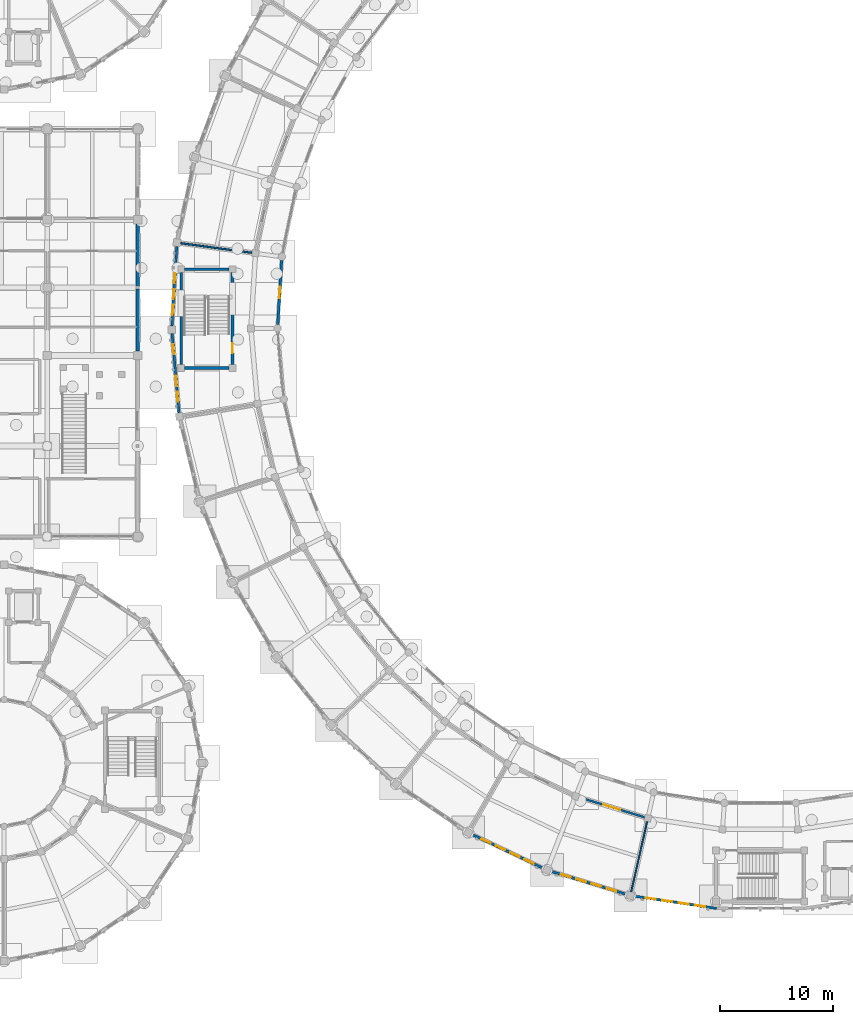
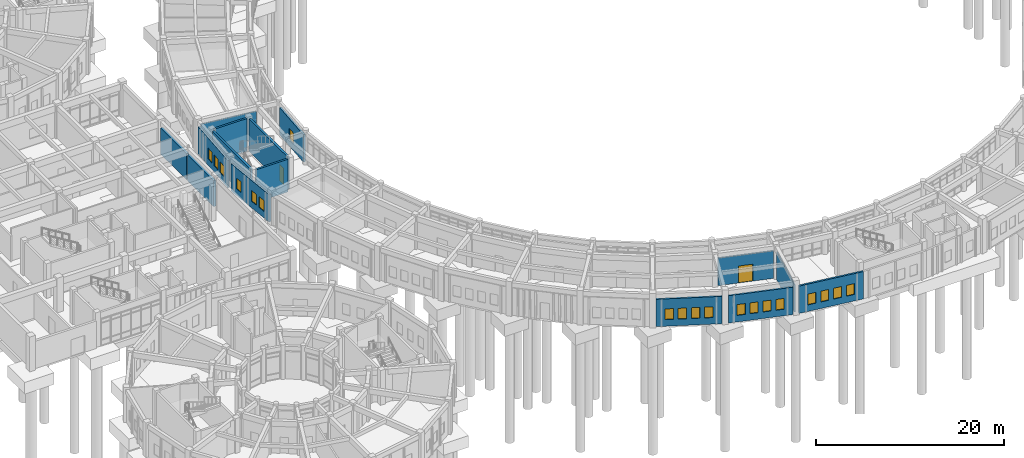
# One storey, part 121 of 153: 19 windows, 15 walls, 2 doors, 21 openings.
"""IFC4 building model written with IfcOpenShell, lengths in metres."""

from ifc_helpers import new_model, si_unit, direction, frame, frame_2d, origin, place, context, subcontext, project, spatial, rectangle, extrude, material, layer, layer_set, type_object, element, fill, save


model = new_model("IFC4")

# Units and contexts
model_context = context("Model", 3, precision=1e-05, world=origin(), true_north=direction((0.0, 1.0)))
body_context = subcontext(model_context, "Body", "Model", "MODEL_VIEW")
ifc_project = project(units=[si_unit("LENGTHUNIT", "METRE"), si_unit("AREAUNIT", "SQUARE_METRE"), si_unit("VOLUMEUNIT", "CUBIC_METRE"), si_unit("PLANEANGLEUNIT", "RADIAN"), si_unit("MASSUNIT", "GRAM", prefix="KILO")], contexts=[model_context])

# Site, building, storey
site_placement = place(None, origin())
site = spatial("IfcSite", under=ifc_project, at=site_placement, CompositionType="ELEMENT")
building_placement = place(site_placement, origin())
building = spatial("IfcBuilding", under=site, at=building_placement, Name="Celadon Cloister-Ring School", CompositionType="ELEMENT")
storey_placement = place(building_placement, origin())
storey = spatial("IfcBuildingStorey", under=building, at=storey_placement, Name="L00", CompositionType="ELEMENT", Elevation=0.0)

# Walls
ifc_material_1 = material(Name="Rendered concrete blockwork", Category="masonry")
ifc_layer_1 = layer(ifc_material_1, 0.280029296875)
ifc_layer_set_1 = layer_set([ifc_layer_1], Name="Rendered concrete blockwork")
wall_type_1 = type_object("IfcWallType", Name="WT-EX1", PredefinedType="SOLIDWALL", material=ifc_layer_set_1)
for number, where, z_axis, x_axis, name in (
    (1, (32.0, 67.623046875, 0.0), (0.0, 0.0, 1.0), (0.0, -1.0, 0.0), "Exterior Wall 0490"),
    (2, (32.0, 61.887939453125, 0.0), (0.0, 0.0, 1.0), (0.0, -1.0, 0.0), "Exterior Wall 0491"),
):
    element("IfcWall", number, at=place(storey_placement, frame(where, z_axis=z_axis, x_axis=x_axis)), inside=storey, type_object=wall_type_1, Name=name, PredefinedType="SOLIDWALL", context=body_context, shape_type="SweptSolid", body=[
        extrude(rectangle(XDim=5.510986328125, YDim=0.280029296875, at=frame_2d((2.75537109375, 0.0))), origin(), (0.0, 0.0, 1.0), 3.382080078125),
    ])

# Wall, opening, window
ifc_material_2 = material(Name="Rendered concrete blockwork", Category="masonry")
ifc_layer_2 = layer(ifc_material_2, 0.239990234375)
ifc_layer_set_2 = layer_set([ifc_layer_2], Name="Rendered concrete blockwork")
wall_type_2 = type_object("IfcWallType", Name="WT-EX3", PredefinedType="SOLIDWALL", material=ifc_layer_set_2)
wall_1_placement = place(storey_placement, frame((44.715087890625, 64.39111328125, 0.0), z_axis=(0.0, 0.0, 1.0), x_axis=(-0.060202310399, -0.998186195969, 0.0)))
wall_1 = element("IfcWall", 3, at=wall_1_placement, inside=storey, type_object=wall_type_2, Name="Exterior Wall 0011", PredefinedType="SOLIDWALL", context=body_context, shape_type="SweptSolid", body=[
    extrude(rectangle(XDim=5.665283203125, YDim=0.239990234375, at=frame_2d((2.83251953125, 0.0))), origin(), (0.0, 0.0, 1.0), 3.550048828125),
])
opening_1_placement = place(wall_1_placement, frame((2.30810546875, 0.0, 0.89990234375)))
opening_1 = element("IfcOpeningElement", 4, at=opening_1_placement, cuts=wall_1, Name="Opening WN-22", PredefinedType="OPENING", context=body_context, shape_type="SweptSolid", body=[
    extrude(rectangle(XDim=1.050048828125, YDim=1.39990234375, at=frame_2d((0.52490234375, 0.699951171875))), frame((0.0, 0.1298828125, 0.0), z_axis=(0.0, -1.0, 0.0), x_axis=(1.0, 0.0, 0.0)), (0.0, 0.0, 1.0), 0.260009765625),
])
ifc_material_3 = material(Name="Tempered laminated insulating glass", Category="glass")
window_type_1 = type_object("IfcWindowType", Name="WN-22", PartitioningType="SINGLE_PANEL", PredefinedType="WINDOW", material=ifc_material_3)
window_1_placement = place(opening_1_placement, origin())
window_1 = element("IfcWindow", 5, at=window_1_placement, inside=storey, type_object=window_type_1, Name="Window 0025", OverallHeight=1.39990234375, OverallWidth=1.050048828125, PartitioningType="SINGLE_PANEL", PredefinedType="WINDOW", context=body_context, shape_type="SweptSolid", body=[
    extrude(rectangle(XDim=1.050048828125, YDim=1.39990234375, at=frame_2d((0.52490234375, 0.699951171875))), frame((0.0, 0.030029296875, 0.0), z_axis=(0.0, -1.0, 0.0), x_axis=(1.0, 0.0, 0.0)), (0.0, 0.0, 1.0), 0.06005859375),
])
fill(opening_1, window_1)

# Wall, openings, windows
ifc_material_4 = material(Name="Perforated terracotta clay brick masonry", Category="masonry")
ifc_layer_3 = layer(ifc_material_4, 0.219970703125)
ifc_layer_set_3 = layer_set([ifc_layer_3], Name="Perforated terracotta clay brick masonry")
wall_type_3 = type_object("IfcWallType", Name="WT-EX4", PredefinedType="SOLIDWALL", material=ifc_layer_set_3)
wall_2_placement = place(storey_placement, frame((35.02490234375, 58.615966796875, 0.0), z_axis=(0.0, 0.0, 1.0), x_axis=(0.06029906372, 0.998180355905, 0.0)))
wall_2 = element("IfcWall", 6, at=wall_2_placement, inside=storey, type_object=wall_type_3, Name="Exterior Wall 0010", PredefinedType="SOLIDWALL", context=body_context, shape_type="SweptSolid", body=[
    extrude(rectangle(XDim=7.03271484375, YDim=0.219970703125, at=frame_2d((3.516357421875, 0.0))), origin(), (0.0, 0.0, 1.0), 3.550048828125),
])
opening_2_placement = place(wall_2_placement, frame((0.95703125, 0.0, 0.85009765625)))
opening_2 = element("IfcOpeningElement", 7, at=opening_2_placement, cuts=wall_2, Name="Opening WN-21", PredefinedType="OPENING", context=body_context, shape_type="SweptSolid", body=[
    extrude(rectangle(XDim=0.89990234375, YDim=1.39990234375, at=frame_2d((0.449951171875, 0.699951171875))), frame((0.0, 0.1201171875, 0.0), z_axis=(0.0, -1.0, 0.0), x_axis=(1.0, 0.0, 0.0)), (0.0, 0.0, 1.0), 0.239990234375),
])
opening_3_placement = place(wall_2_placement, frame((2.363037109375, 0.0, 0.85009765625)))
opening_3 = element("IfcOpeningElement", 8, at=opening_3_placement, cuts=wall_2, Name="Opening WN-21", PredefinedType="OPENING", context=body_context, shape_type="SweptSolid", body=[
    extrude(rectangle(XDim=0.89990234375, YDim=1.39990234375, at=frame_2d((0.449951171875, 0.699951171875))), frame((0.0, 0.1201171875, 0.0), z_axis=(0.0, -1.0, 0.0), x_axis=(1.0, 0.0, 0.0)), (0.0, 0.0, 1.0), 0.239990234375),
])
opening_4_placement = place(wall_2_placement, frame((3.77001953125, 0.0, 0.85009765625)))
opening_4 = element("IfcOpeningElement", 9, at=opening_4_placement, cuts=wall_2, Name="Opening WN-21", PredefinedType="OPENING", context=body_context, shape_type="SweptSolid", body=[
    extrude(rectangle(XDim=0.89990234375, YDim=1.39990234375, at=frame_2d((0.449951171875, 0.699951171875))), frame((0.0, 0.1201171875, 0.0), z_axis=(0.0, -1.0, 0.0), x_axis=(1.0, 0.0, 0.0)), (0.0, 0.0, 1.0), 0.239990234375),
])
ifc_material_5 = material(Name="Tempered laminated insulating glass", Category="glass")
window_type_2 = type_object("IfcWindowType", Name="WN-21", PartitioningType="SINGLE_PANEL", PredefinedType="WINDOW", material=ifc_material_5)
window_2_placement = place(opening_2_placement, origin())
window_2 = element("IfcWindow", 10, at=window_2_placement, inside=storey, type_object=window_type_2, Name="Window 0022", OverallHeight=1.39990234375, OverallWidth=0.89990234375, PartitioningType="SINGLE_PANEL", PredefinedType="WINDOW", context=body_context, shape_type="SweptSolid", body=[
    extrude(rectangle(XDim=0.89990234375, YDim=1.39990234375, at=frame_2d((0.449951171875, 0.699951171875))), frame((0.0, 0.030029296875, 0.0), z_axis=(0.0, -1.0, 0.0), x_axis=(1.0, 0.0, 0.0)), (0.0, 0.0, 1.0), 0.06005859375),
])
fill(opening_2, window_2)
window_3_placement = place(opening_3_placement, origin())
window_3 = element("IfcWindow", 11, at=window_3_placement, inside=storey, type_object=window_type_2, Name="Window 0023", OverallHeight=1.39990234375, OverallWidth=0.89990234375, PartitioningType="SINGLE_PANEL", PredefinedType="WINDOW", context=body_context, shape_type="SweptSolid", body=[
    extrude(rectangle(XDim=0.89990234375, YDim=1.39990234375, at=frame_2d((0.449951171875, 0.699951171875))), frame((0.0, 0.030029296875, 0.0), z_axis=(0.0, -1.0, 0.0), x_axis=(1.0, 0.0, 0.0)), (0.0, 0.0, 1.0), 0.06005859375),
])
fill(opening_3, window_3)
window_4_placement = place(opening_4_placement, origin())
window_4 = element("IfcWindow", 12, at=window_4_placement, inside=storey, type_object=window_type_2, Name="Window 0024", OverallHeight=1.39990234375, OverallWidth=0.89990234375, PartitioningType="SINGLE_PANEL", PredefinedType="WINDOW", context=body_context, shape_type="SweptSolid", body=[
    extrude(rectangle(XDim=0.89990234375, YDim=1.39990234375, at=frame_2d((0.449951171875, 0.699951171875))), frame((0.0, 0.030029296875, 0.0), z_axis=(0.0, -1.0, 0.0), x_axis=(1.0, 0.0, 0.0)), (0.0, 0.0, 1.0), 0.06005859375),
])
fill(opening_4, window_4)

wall_3_placement = place(storey_placement, frame((35.652099609375, 50.94189453125, 0.0), z_axis=(0.0, 0.0, 1.0), x_axis=(-0.087777274836, 0.996140125696, 0.0)))
wall_3 = element("IfcWall", 13, at=wall_3_placement, inside=storey, type_object=wall_type_3, Name="Exterior Wall 0012", PredefinedType="SOLIDWALL", context=body_context, shape_type="SweptSolid", body=[
    extrude(rectangle(XDim=7.03125, YDim=0.219970703125, at=frame_2d((3.515625, 0.0))), origin(), (0.0, 0.0, 1.0), 3.550048828125),
])
opening_5_placement = place(wall_3_placement, frame((0.9560546875, 0.0, 0.85009765625)))
opening_5 = element("IfcOpeningElement", 14, at=opening_5_placement, cuts=wall_3, Name="Opening WN-21", PredefinedType="OPENING", context=body_context, shape_type="SweptSolid", body=[
    extrude(rectangle(XDim=0.89990234375, YDim=1.39990234375, at=frame_2d((0.449951171875, 0.699951171875))), frame((0.0, 0.1201171875, 0.0), z_axis=(0.0, -1.0, 0.0), x_axis=(1.0, 0.0, 0.0)), (0.0, 0.0, 1.0), 0.239990234375),
])
opening_6_placement = place(wall_3_placement, frame((2.362060546875, 0.0, 0.85009765625)))
opening_6 = element("IfcOpeningElement", 15, at=opening_6_placement, cuts=wall_3, Name="Opening WN-21", PredefinedType="OPENING", context=body_context, shape_type="SweptSolid", body=[
    extrude(rectangle(XDim=0.89990234375, YDim=1.39990234375, at=frame_2d((0.449951171875, 0.699951171875))), frame((0.0, 0.1201171875, 0.0), z_axis=(0.0, -1.0, 0.0), x_axis=(1.0, 0.0, 0.0)), (0.0, 0.0, 1.0), 0.239990234375),
])
opening_7_placement = place(wall_3_placement, frame((5.175048828125, 0.0, 0.85009765625)))
opening_7 = element("IfcOpeningElement", 16, at=opening_7_placement, cuts=wall_3, Name="Opening WN-21", PredefinedType="OPENING", context=body_context, shape_type="SweptSolid", body=[
    extrude(rectangle(XDim=0.89990234375, YDim=1.39990234375, at=frame_2d((0.449951171875, 0.699951171875))), frame((0.0, 0.1201171875, 0.0), z_axis=(0.0, -1.0, 0.0), x_axis=(1.0, 0.0, 0.0)), (0.0, 0.0, 1.0), 0.239990234375),
])
window_5_placement = place(opening_5_placement, origin())
window_5 = element("IfcWindow", 17, at=window_5_placement, inside=storey, type_object=window_type_2, Name="Window 0026", OverallHeight=1.39990234375, OverallWidth=0.89990234375, PartitioningType="SINGLE_PANEL", PredefinedType="WINDOW", context=body_context, shape_type="SweptSolid", body=[
    extrude(rectangle(XDim=0.89990234375, YDim=1.39990234375, at=frame_2d((0.449951171875, 0.699951171875))), frame((0.0, 0.030029296875, 0.0), z_axis=(0.0, -1.0, 0.0), x_axis=(1.0, 0.0, 0.0)), (0.0, 0.0, 1.0), 0.06005859375),
])
fill(opening_5, window_5)
window_6_placement = place(opening_6_placement, origin())
window_6 = element("IfcWindow", 18, at=window_6_placement, inside=storey, type_object=window_type_2, Name="Window 0027", OverallHeight=1.39990234375, OverallWidth=0.89990234375, PartitioningType="SINGLE_PANEL", PredefinedType="WINDOW", context=body_context, shape_type="SweptSolid", body=[
    extrude(rectangle(XDim=0.89990234375, YDim=1.39990234375, at=frame_2d((0.449951171875, 0.699951171875))), frame((0.0, 0.030029296875, 0.0), z_axis=(0.0, -1.0, 0.0), x_axis=(1.0, 0.0, 0.0)), (0.0, 0.0, 1.0), 0.06005859375),
])
fill(opening_6, window_6)
window_7_placement = place(opening_7_placement, origin())
window_7 = element("IfcWindow", 19, at=window_7_placement, inside=storey, type_object=window_type_2, Name="Window 0028", OverallHeight=1.39990234375, OverallWidth=0.89990234375, PartitioningType="SINGLE_PANEL", PredefinedType="WINDOW", context=body_context, shape_type="SweptSolid", body=[
    extrude(rectangle(XDim=0.89990234375, YDim=1.39990234375, at=frame_2d((0.449951171875, 0.699951171875))), frame((0.0, 0.030029296875, 0.0), z_axis=(0.0, -1.0, 0.0), x_axis=(1.0, 0.0, 0.0)), (0.0, 0.0, 1.0), 0.06005859375),
])
fill(opening_7, window_7)

wall_4_placement = place(storey_placement, frame((67.85888671875, 10.677001953125, 0.0), z_axis=(0.0, 0.0, 1.0), x_axis=(-0.902744968073, 0.43017615301, 0.0)))
wall_4 = element("IfcWall", 20, at=wall_4_placement, inside=storey, type_object=wall_type_3, Name="Exterior Wall 0021", PredefinedType="SOLIDWALL", context=body_context, shape_type="SweptSolid", body=[
    extrude(rectangle(XDim=7.03173828125, YDim=0.219970703125, at=frame_2d((3.515869140625, 0.0))), origin(), (0.0, 0.0, 1.0), 3.550048828125),
])
opening_8_placement = place(wall_4_placement, frame((0.9560546875, 0.0, 0.85009765625)))
opening_8 = element("IfcOpeningElement", 21, at=opening_8_placement, cuts=wall_4, Name="Opening WN-21", PredefinedType="OPENING", context=body_context, shape_type="SweptSolid", body=[
    extrude(rectangle(XDim=0.89990234375, YDim=1.39990234375, at=frame_2d((0.449951171875, 0.699951171875))), frame((0.0, 0.1201171875, 0.0), z_axis=(0.0, -1.0, 0.0), x_axis=(1.0, 0.0, 0.0)), (0.0, 0.0, 1.0), 0.239990234375),
])
opening_9_placement = place(wall_4_placement, frame((2.363037109375, 0.0, 0.85009765625)))
opening_9 = element("IfcOpeningElement", 22, at=opening_9_placement, cuts=wall_4, Name="Opening WN-21", PredefinedType="OPENING", context=body_context, shape_type="SweptSolid", body=[
    extrude(rectangle(XDim=0.89990234375, YDim=1.39990234375, at=frame_2d((0.449951171875, 0.699951171875))), frame((0.0, 0.1201171875, 0.0), z_axis=(0.0, -1.0, 0.0), x_axis=(1.0, 0.0, 0.0)), (0.0, 0.0, 1.0), 0.239990234375),
])
opening_10_placement = place(wall_4_placement, frame((3.76904296875, 0.0, 0.85009765625)))
opening_10 = element("IfcOpeningElement", 23, at=opening_10_placement, cuts=wall_4, Name="Opening WN-21", PredefinedType="OPENING", context=body_context, shape_type="SweptSolid", body=[
    extrude(rectangle(XDim=0.89990234375, YDim=1.39990234375, at=frame_2d((0.449951171875, 0.699951171875))), frame((0.0, 0.1201171875, 0.0), z_axis=(0.0, -1.0, 0.0), x_axis=(1.0, 0.0, 0.0)), (0.0, 0.0, 1.0), 0.239990234375),
])
opening_11_placement = place(wall_4_placement, frame((5.176025390625, 0.0, 0.85009765625)))
opening_11 = element("IfcOpeningElement", 24, at=opening_11_placement, cuts=wall_4, Name="Opening WN-21", PredefinedType="OPENING", context=body_context, shape_type="SweptSolid", body=[
    extrude(rectangle(XDim=0.89990234375, YDim=1.39990234375, at=frame_2d((0.449951171875, 0.699951171875))), frame((0.0, 0.1201171875, 0.0), z_axis=(0.0, -1.0, 0.0), x_axis=(1.0, 0.0, 0.0)), (0.0, 0.0, 1.0), 0.239990234375),
])
window_8_placement = place(opening_8_placement, origin())
window_8 = element("IfcWindow", 25, at=window_8_placement, inside=storey, type_object=window_type_2, Name="Window 0051", OverallHeight=1.39990234375, OverallWidth=0.89990234375, PartitioningType="SINGLE_PANEL", PredefinedType="WINDOW", context=body_context, shape_type="SweptSolid", body=[
    extrude(rectangle(XDim=0.89990234375, YDim=1.39990234375, at=frame_2d((0.449951171875, 0.699951171875))), frame((0.0, 0.030029296875, 0.0), z_axis=(0.0, -1.0, 0.0), x_axis=(1.0, 0.0, 0.0)), (0.0, 0.0, 1.0), 0.06005859375),
])
fill(opening_8, window_8)
window_9_placement = place(opening_9_placement, origin())
window_9 = element("IfcWindow", 26, at=window_9_placement, inside=storey, type_object=window_type_2, Name="Window 0052", OverallHeight=1.39990234375, OverallWidth=0.89990234375, PartitioningType="SINGLE_PANEL", PredefinedType="WINDOW", context=body_context, shape_type="SweptSolid", body=[
    extrude(rectangle(XDim=0.89990234375, YDim=1.39990234375, at=frame_2d((0.449951171875, 0.699951171875))), frame((0.0, 0.030029296875, 0.0), z_axis=(0.0, -1.0, 0.0), x_axis=(1.0, 0.0, 0.0)), (0.0, 0.0, 1.0), 0.06005859375),
])
fill(opening_9, window_9)
window_10_placement = place(opening_10_placement, origin())
window_10 = element("IfcWindow", 27, at=window_10_placement, inside=storey, type_object=window_type_2, Name="Window 0053", OverallHeight=1.39990234375, OverallWidth=0.89990234375, PartitioningType="SINGLE_PANEL", PredefinedType="WINDOW", context=body_context, shape_type="SweptSolid", body=[
    extrude(rectangle(XDim=0.89990234375, YDim=1.39990234375, at=frame_2d((0.449951171875, 0.699951171875))), frame((0.0, 0.030029296875, 0.0), z_axis=(0.0, -1.0, 0.0), x_axis=(1.0, 0.0, 0.0)), (0.0, 0.0, 1.0), 0.06005859375),
])
fill(opening_10, window_10)
window_11_placement = place(opening_11_placement, origin())
window_11 = element("IfcWindow", 28, at=window_11_placement, inside=storey, type_object=window_type_2, Name="Window 0054", OverallHeight=1.39990234375, OverallWidth=0.89990234375, PartitioningType="SINGLE_PANEL", PredefinedType="WINDOW", context=body_context, shape_type="SweptSolid", body=[
    extrude(rectangle(XDim=0.89990234375, YDim=1.39990234375, at=frame_2d((0.449951171875, 0.699951171875))), frame((0.0, 0.030029296875, 0.0), z_axis=(0.0, -1.0, 0.0), x_axis=(1.0, 0.0, 0.0)), (0.0, 0.0, 1.0), 0.06005859375),
])
fill(opening_11, window_11)

wall_5_placement = place(storey_placement, frame((75.2080078125, 8.37890625, 0.0), z_axis=(0.0, 0.0, 1.0), x_axis=(-0.956340250866, 0.292255580912, 0.0)))
wall_5 = element("IfcWall", 29, at=wall_5_placement, inside=storey, type_object=wall_type_3, Name="Exterior Wall 0023", PredefinedType="SOLIDWALL", context=body_context, shape_type="SweptSolid", body=[
    extrude(rectangle(XDim=7.0322265625, YDim=0.219970703125, at=frame_2d((3.51611328125, 0.0))), origin(), (0.0, 0.0, 1.0), 3.550048828125),
])
opening_12_placement = place(wall_5_placement, frame((0.9560546875, 0.0, 0.85009765625)))
opening_12 = element("IfcOpeningElement", 30, at=opening_12_placement, cuts=wall_5, Name="Opening WN-21", PredefinedType="OPENING", context=body_context, shape_type="SweptSolid", body=[
    extrude(rectangle(XDim=0.89990234375, YDim=1.39990234375, at=frame_2d((0.449951171875, 0.699951171875))), frame((0.0, 0.1201171875, 0.0), z_axis=(0.0, -1.0, 0.0), x_axis=(1.0, 0.0, 0.0)), (0.0, 0.0, 1.0), 0.239990234375),
])
opening_13_placement = place(wall_5_placement, frame((2.363037109375, 0.0, 0.85009765625)))
opening_13 = element("IfcOpeningElement", 31, at=opening_13_placement, cuts=wall_5, Name="Opening WN-21", PredefinedType="OPENING", context=body_context, shape_type="SweptSolid", body=[
    extrude(rectangle(XDim=0.89990234375, YDim=1.39990234375, at=frame_2d((0.449951171875, 0.699951171875))), frame((0.0, 0.1201171875, 0.0), z_axis=(0.0, -1.0, 0.0), x_axis=(1.0, 0.0, 0.0)), (0.0, 0.0, 1.0), 0.239990234375),
])
opening_14_placement = place(wall_5_placement, frame((3.76904296875, 0.0, 0.85009765625)))
opening_14 = element("IfcOpeningElement", 32, at=opening_14_placement, cuts=wall_5, Name="Opening WN-21", PredefinedType="OPENING", context=body_context, shape_type="SweptSolid", body=[
    extrude(rectangle(XDim=0.89990234375, YDim=1.39990234375, at=frame_2d((0.449951171875, 0.699951171875))), frame((0.0, 0.1201171875, 0.0), z_axis=(0.0, -1.0, 0.0), x_axis=(1.0, 0.0, 0.0)), (0.0, 0.0, 1.0), 0.239990234375),
])
opening_15_placement = place(wall_5_placement, frame((5.176025390625, 0.0, 0.85009765625)))
opening_15 = element("IfcOpeningElement", 33, at=opening_15_placement, cuts=wall_5, Name="Opening WN-21", PredefinedType="OPENING", context=body_context, shape_type="SweptSolid", body=[
    extrude(rectangle(XDim=0.89990234375, YDim=1.39990234375, at=frame_2d((0.449951171875, 0.699951171875))), frame((0.0, 0.1201171875, 0.0), z_axis=(0.0, -1.0, 0.0), x_axis=(1.0, 0.0, 0.0)), (0.0, 0.0, 1.0), 0.239990234375),
])
window_12_placement = place(opening_12_placement, origin())
window_12 = element("IfcWindow", 34, at=window_12_placement, inside=storey, type_object=window_type_2, Name="Window 0055", OverallHeight=1.39990234375, OverallWidth=0.89990234375, PartitioningType="SINGLE_PANEL", PredefinedType="WINDOW", context=body_context, shape_type="SweptSolid", body=[
    extrude(rectangle(XDim=0.89990234375, YDim=1.39990234375, at=frame_2d((0.449951171875, 0.699951171875))), frame((0.0, 0.030029296875, 0.0), z_axis=(0.0, -1.0, 0.0), x_axis=(1.0, 0.0, 0.0)), (0.0, 0.0, 1.0), 0.06005859375),
])
fill(opening_12, window_12)
window_13_placement = place(opening_13_placement, origin())
window_13 = element("IfcWindow", 35, at=window_13_placement, inside=storey, type_object=window_type_2, Name="Window 0056", OverallHeight=1.39990234375, OverallWidth=0.89990234375, PartitioningType="SINGLE_PANEL", PredefinedType="WINDOW", context=body_context, shape_type="SweptSolid", body=[
    extrude(rectangle(XDim=0.89990234375, YDim=1.39990234375, at=frame_2d((0.449951171875, 0.699951171875))), frame((0.0, 0.030029296875, 0.0), z_axis=(0.0, -1.0, 0.0), x_axis=(1.0, 0.0, 0.0)), (0.0, 0.0, 1.0), 0.06005859375),
])
fill(opening_13, window_13)
window_14_placement = place(opening_14_placement, origin())
window_14 = element("IfcWindow", 36, at=window_14_placement, inside=storey, type_object=window_type_2, Name="Window 0057", OverallHeight=1.39990234375, OverallWidth=0.89990234375, PartitioningType="SINGLE_PANEL", PredefinedType="WINDOW", context=body_context, shape_type="SweptSolid", body=[
    extrude(rectangle(XDim=0.89990234375, YDim=1.39990234375, at=frame_2d((0.449951171875, 0.699951171875))), frame((0.0, 0.030029296875, 0.0), z_axis=(0.0, -1.0, 0.0), x_axis=(1.0, 0.0, 0.0)), (0.0, 0.0, 1.0), 0.06005859375),
])
fill(opening_14, window_14)
window_15_placement = place(opening_15_placement, origin())
window_15 = element("IfcWindow", 37, at=window_15_placement, inside=storey, type_object=window_type_2, Name="Window 0058", OverallHeight=1.39990234375, OverallWidth=0.89990234375, PartitioningType="SINGLE_PANEL", PredefinedType="WINDOW", context=body_context, shape_type="SweptSolid", body=[
    extrude(rectangle(XDim=0.89990234375, YDim=1.39990234375, at=frame_2d((0.449951171875, 0.699951171875))), frame((0.0, 0.030029296875, 0.0), z_axis=(0.0, -1.0, 0.0), x_axis=(1.0, 0.0, 0.0)), (0.0, 0.0, 1.0), 0.06005859375),
])
fill(opening_15, window_15)

wall_6_placement = place(storey_placement, frame((83.14794921875, 7.14306640625, 0.0), z_axis=(0.0, 0.0, 1.0), x_axis=(-0.989038445117, 0.147658234042, 0.0)))
wall_6 = element("IfcWall", 38, at=wall_6_placement, inside=storey, type_object=wall_type_3, Name="Exterior Wall 0025", PredefinedType="SOLIDWALL", context=body_context, shape_type="SweptSolid", body=[
    extrude(rectangle(XDim=7.36767578125, YDim=0.219970703125, at=frame_2d((3.683837890625, 0.0))), origin(), (0.0, 0.0, 1.0), 3.550048828125),
])
opening_16_placement = place(wall_6_placement, frame((1.02392578125, 0.0, 0.85009765625)))
opening_16 = element("IfcOpeningElement", 39, at=opening_16_placement, cuts=wall_6, Name="Opening WN-21", PredefinedType="OPENING", context=body_context, shape_type="SweptSolid", body=[
    extrude(rectangle(XDim=0.89990234375, YDim=1.39990234375, at=frame_2d((0.449951171875, 0.699951171875))), frame((0.0, 0.1201171875, 0.0), z_axis=(0.0, -1.0, 0.0), x_axis=(1.0, 0.0, 0.0)), (0.0, 0.0, 1.0), 0.239990234375),
])
opening_17_placement = place(wall_6_placement, frame((2.4970703125, 0.0, 0.85009765625)))
opening_17 = element("IfcOpeningElement", 40, at=opening_17_placement, cuts=wall_6, Name="Opening WN-21", PredefinedType="OPENING", context=body_context, shape_type="SweptSolid", body=[
    extrude(rectangle(XDim=0.89990234375, YDim=1.39990234375, at=frame_2d((0.449951171875, 0.699951171875))), frame((0.0, 0.1201171875, 0.0), z_axis=(0.0, -1.0, 0.0), x_axis=(1.0, 0.0, 0.0)), (0.0, 0.0, 1.0), 0.239990234375),
])
opening_18_placement = place(wall_6_placement, frame((3.970947265625, 0.0, 0.85009765625)))
opening_18 = element("IfcOpeningElement", 41, at=opening_18_placement, cuts=wall_6, Name="Opening WN-21", PredefinedType="OPENING", context=body_context, shape_type="SweptSolid", body=[
    extrude(rectangle(XDim=0.89990234375, YDim=1.39990234375, at=frame_2d((0.449951171875, 0.699951171875))), frame((0.0, 0.1201171875, 0.0), z_axis=(0.0, -1.0, 0.0), x_axis=(1.0, 0.0, 0.0)), (0.0, 0.0, 1.0), 0.239990234375),
])
opening_19_placement = place(wall_6_placement, frame((5.444091796875, 0.0, 0.85009765625)))
opening_19 = element("IfcOpeningElement", 42, at=opening_19_placement, cuts=wall_6, Name="Opening WN-21", PredefinedType="OPENING", context=body_context, shape_type="SweptSolid", body=[
    extrude(rectangle(XDim=0.89990234375, YDim=1.39990234375, at=frame_2d((0.449951171875, 0.699951171875))), frame((0.0, 0.1201171875, 0.0), z_axis=(0.0, -1.0, 0.0), x_axis=(1.0, 0.0, 0.0)), (0.0, 0.0, 1.0), 0.239990234375),
])
window_16_placement = place(opening_16_placement, origin())
window_16 = element("IfcWindow", 43, at=window_16_placement, inside=storey, type_object=window_type_2, Name="Window 0060", OverallHeight=1.39990234375, OverallWidth=0.89990234375, PartitioningType="SINGLE_PANEL", PredefinedType="WINDOW", context=body_context, shape_type="SweptSolid", body=[
    extrude(rectangle(XDim=0.89990234375, YDim=1.39990234375, at=frame_2d((0.449951171875, 0.699951171875))), frame((0.0, 0.030029296875, 0.0), z_axis=(0.0, -1.0, 0.0), x_axis=(1.0, 0.0, 0.0)), (0.0, 0.0, 1.0), 0.06005859375),
])
fill(opening_16, window_16)
window_17_placement = place(opening_17_placement, origin())
window_17 = element("IfcWindow", 44, at=window_17_placement, inside=storey, type_object=window_type_2, Name="Window 0061", OverallHeight=1.39990234375, OverallWidth=0.89990234375, PartitioningType="SINGLE_PANEL", PredefinedType="WINDOW", context=body_context, shape_type="SweptSolid", body=[
    extrude(rectangle(XDim=0.89990234375, YDim=1.39990234375, at=frame_2d((0.449951171875, 0.699951171875))), frame((0.0, 0.030029296875, 0.0), z_axis=(0.0, -1.0, 0.0), x_axis=(1.0, 0.0, 0.0)), (0.0, 0.0, 1.0), 0.06005859375),
])
fill(opening_17, window_17)
window_18_placement = place(opening_18_placement, origin())
window_18 = element("IfcWindow", 45, at=window_18_placement, inside=storey, type_object=window_type_2, Name="Window 0062", OverallHeight=1.39990234375, OverallWidth=0.89990234375, PartitioningType="SINGLE_PANEL", PredefinedType="WINDOW", context=body_context, shape_type="SweptSolid", body=[
    extrude(rectangle(XDim=0.89990234375, YDim=1.39990234375, at=frame_2d((0.449951171875, 0.699951171875))), frame((0.0, 0.030029296875, 0.0), z_axis=(0.0, -1.0, 0.0), x_axis=(1.0, 0.0, 0.0)), (0.0, 0.0, 1.0), 0.06005859375),
])
fill(opening_18, window_18)
window_19_placement = place(opening_19_placement, origin())
window_19 = element("IfcWindow", 46, at=window_19_placement, inside=storey, type_object=window_type_2, Name="Window 0063", OverallHeight=1.39990234375, OverallWidth=0.89990234375, PartitioningType="SINGLE_PANEL", PredefinedType="WINDOW", context=body_context, shape_type="SweptSolid", body=[
    extrude(rectangle(XDim=0.89990234375, YDim=1.39990234375, at=frame_2d((0.449951171875, 0.699951171875))), frame((0.0, 0.030029296875, 0.0), z_axis=(0.0, -1.0, 0.0), x_axis=(1.0, 0.0, 0.0)), (0.0, 0.0, 1.0), 0.06005859375),
])
fill(opening_19, window_19)

# Wall, opening, door
ifc_material_6 = material(Name="Plastered hollow concrete masonry", Category="masonry")
ifc_layer_4 = layer(ifc_material_6, 0.179931640625)
ifc_layer_set_4 = layer_set([ifc_layer_4], Name="Plastered hollow concrete masonry")
wall_type_4 = type_object("IfcWallType", Name="WT-PT2", PredefinedType="PARTITIONING", material=ifc_layer_set_4)
wall_7_placement = place(storey_placement, frame((70.97802734375, 16.970947265625, 0.0), z_axis=(0.0, 0.0, 1.0), x_axis=(0.956393330743, -0.292081832556, 0.0)))
wall_7 = element("IfcWall", 47, at=wall_7_placement, inside=storey, type_object=wall_type_4, Name="Interior Wall 0467", PredefinedType="PARTITIONING", context=body_context, shape_type="SweptSolid", body=[
    extrude(rectangle(XDim=6.080078125, YDim=0.179931640625, at=frame_2d((3.0400390625, 0.0))), origin(), (0.0, 0.0, 1.0), 3.572021484375),
])
opening_20_placement = place(wall_7_placement, frame((2.264892578125, 0.0, 0.0)))
opening_20 = element("IfcOpeningElement", 48, at=opening_20_placement, cuts=wall_7, Name="Opening D-0128", PredefinedType="OPENING", context=body_context, shape_type="SweptSolid", body=[
    extrude(rectangle(XDim=1.550048828125, YDim=2.199951171875, at=frame_2d((0.77490234375, 1.10009765625))), frame((0.0, 0.10009765625, 0.0), z_axis=(0.0, -1.0, 0.0), x_axis=(1.0, 0.0, 0.0)), (0.0, 0.0, 1.0), 0.199951171875),
])
ifc_material_7 = material(Name="Galvanised fire-rated hollow steel leaf", Category="steel")
door_type_1 = type_object("IfcDoorType", Name="DT-13", OperationType="NOTDEFINED", PredefinedType="DOOR", material=ifc_material_7)
door_1_placement = place(opening_20_placement, origin())
door_1 = element("IfcDoor", 49, at=door_1_placement, inside=storey, type_object=door_type_1, Name="Door D-0128", OperationType="SINGLE_SWING_RIGHT", OverallHeight=2.199951171875, OverallWidth=1.550048828125, PredefinedType="DOOR", context=body_context, shape_type="SweptSolid", body=[
    extrude(rectangle(XDim=1.550048828125, YDim=2.199951171875, at=frame_2d((0.77490234375, 1.10009765625))), frame((0.0, 0.02490234375, 0.0), z_axis=(0.0, -1.0, 0.0), x_axis=(1.0, 0.0, 0.0)), (0.0, 0.0, 1.0), 0.050048828125),
])
fill(opening_20, door_1)

# Walls
ifc_material_8 = material(Name="Acoustic mineral-wool drywall partition")
ifc_layer_5 = layer(ifc_material_8, 0.139892578125)
ifc_layer_set_5 = layer_set([ifc_layer_5], Name="Acoustic mineral-wool drywall partition")
wall_type_5 = type_object("IfcWallType", Name="WT-PT4", PredefinedType="PARTITIONING", material=ifc_layer_set_5)
wall_8_placement = place(storey_placement, frame((42.116943359375, 65.071044921875, 0.0), z_axis=(0.0, 0.0, 1.0), x_axis=(-0.990971868219, 0.134069968295, 0.0)))
element("IfcWall", 50, at=wall_8_placement, inside=storey, type_object=wall_type_5, Name="Interior Wall 0430", PredefinedType="PARTITIONING", context=body_context, shape_type="SweptSolid", body=[
    extrude(rectangle(XDim=6.3916015625, YDim=0.139892578125, at=frame_2d((3.19580078125, 0.0))), origin(), (0.0, 0.0, 1.0), 3.572021484375),
])
ifc_material_9 = material(Name="Acoustic mineral-wool drywall partition")
ifc_layer_6 = layer(ifc_material_9, 0.1201171875)
ifc_layer_set_6 = layer_set([ifc_layer_6], Name="Acoustic mineral-wool drywall partition")
wall_type_6 = type_object("IfcWallType", Name="WT-PT5", PredefinedType="PARTITIONING", material=ifc_layer_set_6)
wall_9_placement = place(storey_placement, frame((77.009033203125, 14.823974609375, 0.0), z_axis=(0.0, 0.0, 1.0), x_axis=(-0.220597347052, -0.975364962706, 0.0)))
element("IfcWall", 51, at=wall_9_placement, inside=storey, type_object=wall_type_6, Name="Interior Wall 0437", PredefinedType="PARTITIONING", context=body_context, shape_type="SweptSolid", body=[
    extrude(rectangle(XDim=6.391357421875, YDim=0.1201171875, at=frame_2d((3.19580078125, 0.0))), origin(), (0.0, 0.0, 1.0), 3.572021484375),
])
ifc_material_10 = material(Name="Concrete C40/50", Category="concrete")
ifc_layer_7 = layer(ifc_material_10, 0.239990234375)
ifc_layer_set_7 = layer_set([ifc_layer_7], Name="Concrete C40/50")
wall_type_7 = type_object("IfcWallType", Name="WT-SH1", PredefinedType="SHEAR", material=ifc_layer_set_7)
wall_10_placement = place(storey_placement, frame((35.85009765625, 55.19189453125, 0.0), z_axis=(0.0, 0.0, 1.0), x_axis=(0.0, 1.0, 0.0)))
element("IfcWall", 52, at=wall_10_placement, inside=storey, type_object=wall_type_7, Name="Interior Wall 0177", PredefinedType="SHEAR", context=body_context, shape_type="SweptSolid", body=[
    extrude(rectangle(XDim=8.135986328125, YDim=0.239990234375, at=frame_2d((4.06787109375, 0.0))), origin(), (0.0, 0.0, 1.0), 4.239990234375),
])

# Wall, opening, door
wall_11_placement = place(storey_placement, frame((40.3701171875, 63.327880859375, 0.0), z_axis=(0.0, 0.0, 1.0), x_axis=(0.0, -1.0, 0.0)))
wall_11 = element("IfcWall", 53, at=wall_11_placement, inside=storey, type_object=wall_type_7, Name="Interior Wall 0178", PredefinedType="SHEAR", context=body_context, shape_type="SweptSolid", body=[
    extrude(rectangle(XDim=8.135986328125, YDim=0.239990234375, at=frame_2d((4.06787109375, 0.0))), origin(), (0.0, 0.0, 1.0), 4.239990234375),
])
opening_21_placement = place(wall_11_placement, frame((6.243896484375, 0.0, 0.0)))
opening_21 = element("IfcOpeningElement", 54, at=opening_21_placement, cuts=wall_11, Name="Opening D-0077", PredefinedType="OPENING", context=body_context, shape_type="SweptSolid", body=[
    extrude(rectangle(XDim=0.8798828125, YDim=2.10009765625, at=frame_2d((0.43994140625, 1.050048828125))), frame((0.0, 0.1298828125, 0.0), z_axis=(0.0, -1.0, 0.0), x_axis=(1.0, 0.0, 0.0)), (0.0, 0.0, 1.0), 0.260009765625),
])
ifc_material_11 = material(Name="Solid-core fire-rated hardwood leaf", Category="wood")
door_type_2 = type_object("IfcDoorType", Name="DT-01", OperationType="NOTDEFINED", PredefinedType="DOOR", material=ifc_material_11)
door_2_placement = place(opening_21_placement, origin())
door_2 = element("IfcDoor", 55, at=door_2_placement, inside=storey, type_object=door_type_2, Name="Door D-0077", OperationType="SINGLE_SWING_LEFT", OverallHeight=2.10009765625, OverallWidth=0.8798828125, PredefinedType="DOOR", context=body_context, shape_type="SweptSolid", body=[
    extrude(rectangle(XDim=0.8798828125, YDim=2.10009765625, at=frame_2d((0.43994140625, 1.050048828125))), frame((0.0, 0.02490234375, 0.0), z_axis=(0.0, -1.0, 0.0), x_axis=(1.0, 0.0, 0.0)), (0.0, 0.0, 1.0), 0.050048828125),
])
fill(opening_21, door_2)

# Walls
for number, where, z_axis, x_axis, name in (
    (56, (40.077880859375, 54.89990234375, 0.0), (0.0, 0.0, 1.0), (-1.0, 0.0, 0.0), "Interior Wall 0179"),
    (57, (40.077880859375, 63.6201171875, 0.0), (0.0, 0.0, 1.0), (-1.0, 0.0, 0.0), "Interior Wall 0180"),
):
    element("IfcWall", number, at=place(storey_placement, frame(where, z_axis=z_axis, x_axis=x_axis)), inside=storey, type_object=wall_type_7, Name=name, PredefinedType="SHEAR", context=body_context, shape_type="SweptSolid", body=[
        extrude(rectangle(XDim=3.935791015625, YDim=0.239990234375, at=frame_2d((1.9677734375, 0.0))), origin(), (0.0, 0.0, 1.0), 4.239990234375),
    ])

save(model, "model.ifc")
